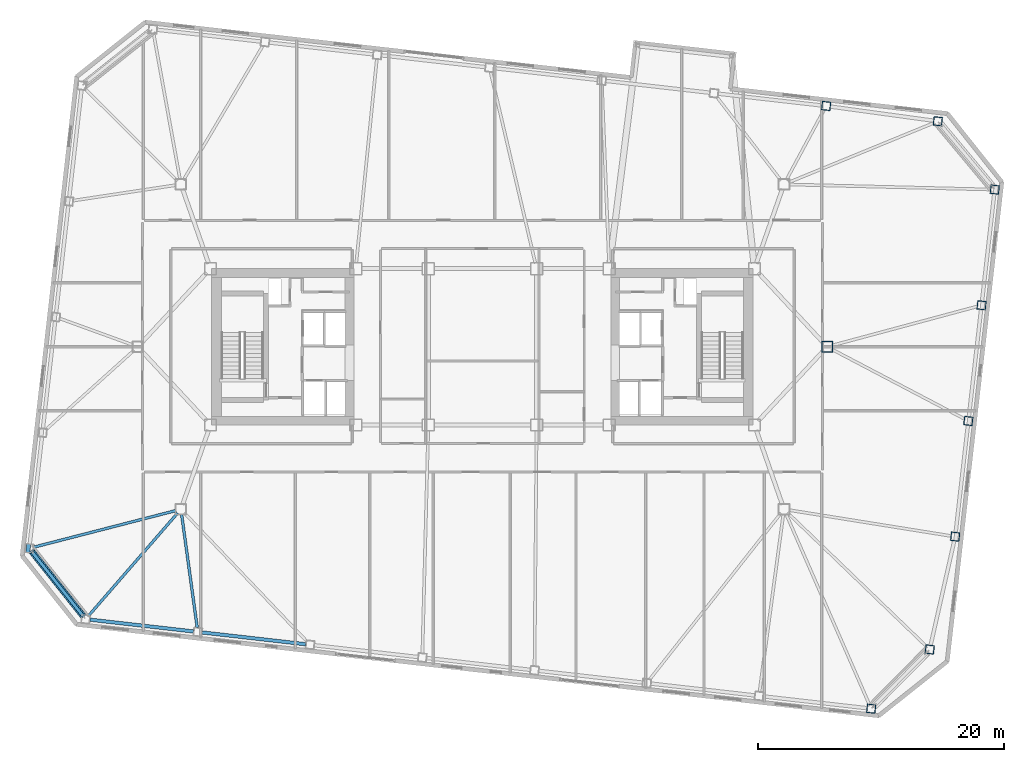
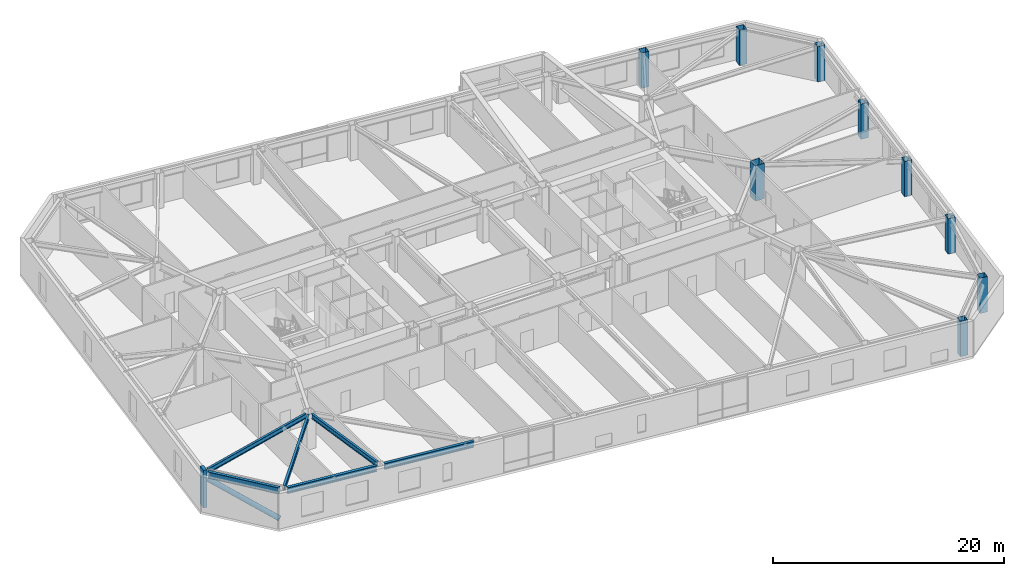
# One storey, part 3 of 22: 9 columns, 6 beams, 2 members.
"""IFC4 building model written with IfcOpenShell, lengths in metres."""

from ifc_helpers import new_model, si_unit, direction, frame, origin, origin_2d, place, context, subcontext, project, spatial, rectangle, hollow_rectangle, hollow_circle, i_section, extrude, material, material_profile, profile_set, type_object, element, save


model = new_model("IFC4")

# Units and contexts
model_context = context("Model", 3, precision=1e-05, world=origin(), true_north=direction((0.0, 1.0)))
body_context = subcontext(model_context, "Body", "Model", "MODEL_VIEW")
ifc_project = project(units=[si_unit("LENGTHUNIT", "METRE"), si_unit("AREAUNIT", "SQUARE_METRE"), si_unit("VOLUMEUNIT", "CUBIC_METRE"), si_unit("PLANEANGLEUNIT", "RADIAN"), si_unit("MASSUNIT", "GRAM", prefix="KILO")], contexts=[model_context])

# Site, building, storey
site_placement = place(None, origin())
site = spatial("IfcSite", under=ifc_project, at=site_placement, CompositionType="ELEMENT")
building_placement = place(site_placement, origin())
building = spatial("IfcBuilding", under=site, at=building_placement, Name="Tavrogorsk Clinical Tower", CompositionType="ELEMENT")
storey_placement = place(building_placement, frame((0.0, 0.0, 117.39990234375)))
storey = spatial("IfcBuildingStorey", under=building, at=storey_placement, Name="L26", CompositionType="ELEMENT", Elevation=117.39990234375)

# Columns
ifc_material_1 = material(Name="Structural steel S440", Category="steel")
ifc_material_profile_1 = material_profile(ifc_material_1, hollow_rectangle(XDim=0.89990234375, YDim=0.89990234375, WallThickness=0.0400390625, at=origin_2d()), Name="BOX-900x900x40")
ifc_profile_set_1 = profile_set([ifc_material_profile_1], Name="Structural steel S440")
column_type_1 = type_object("IfcColumnType", Name="MegaCol_BOX900", PredefinedType="COLUMN", material=ifc_profile_set_1)
column_placement = place(storey_placement, frame((28.0, 0.0, 0.0), z_axis=(0.0, 0.0, 1.0), x_axis=(1.0, 0.0, 0.0)))
element("IfcColumn", 1, at=column_placement, inside=storey, type_object=column_type_1, Name="L26 Spine Pilotis Column MC-P6", PredefinedType="COLUMN", context=body_context, shape_type="SweptSolid", body=[
    extrude(hollow_rectangle(XDim=0.89990234375, YDim=0.89990234375, WallThickness=0.0400390625, at=origin_2d()), origin(), (0.0, 0.0, 1.0), 3.739990234375),
])
ifc_material_2 = material(Name="Structural steel S440", Category="steel")
ifc_material_profile_2 = material_profile(ifc_material_2, hollow_rectangle(XDim=0.699951171875, YDim=0.699951171875, WallThickness=0.031982421875, at=origin_2d()), Name="BOX-700x700x32")
ifc_profile_set_2 = profile_set([ifc_material_profile_2], Name="Structural steel S440")
column_type_2 = type_object("IfcColumnType", Name="PerimCol_B2_BOX700", PredefinedType="COLUMN", material=ifc_profile_set_2)
for number, where, z_axis, x_axis, name in (
    (2, (31.5830078125, -29.40087890625, 0.0), (0.0, 0.0, 1.0), (0.993571855677, -0.113203213768, 0.0), "L26 Perimeter Column S8"),
    (3, (36.99658203125, 18.323486328125, 0.0), (0.0, 0.0, 1.0), (0.993571855677, -0.113203213768, 0.0), "L26 Perimeter Column N1"),
    (4, (27.92578125, 19.567626953125, 0.0), (0.0, 0.0, 1.0), (0.993571855677, -0.113203213768, 0.0), "L26 Perimeter Column N2"),
    (5, (36.335693359375, -24.591796875, 0.0), (0.0, 0.0, 1.0), (0.993571855677, -0.113203213768, 0.0), "L26 Perimeter Column E1"),
    (6, (38.4091796875, -15.423828125, 0.0), (0.0, 0.0, 1.0), (0.993571855677, -0.113203213768, 0.0), "L26 Perimeter Column E2"),
    (7, (39.47998046875, -6.024658203125, 0.0), (0.0, 0.0, 1.0), (0.993571855677, -0.113203213768, 0.0), "L26 Perimeter Column E3"),
    (8, (40.551025390625, 3.37451171875, 0.0), (0.0, 0.0, 1.0), (0.993571855677, -0.113203213768, 0.0), "L26 Perimeter Column E4"),
    (9, (41.621826171875, 12.773681640625, 0.0), (0.0, 0.0, 1.0), (0.993571855677, -0.113203213768, 0.0), "L26 Perimeter Column E5"),
):
    element("IfcColumn", number, at=place(storey_placement, frame(where, z_axis=z_axis, x_axis=x_axis)), inside=storey, type_object=column_type_2, Name=name, PredefinedType="COLUMN", context=body_context, shape_type="SweptSolid", body=[
        extrude(hollow_rectangle(XDim=0.699951171875, YDim=0.699951171875, WallThickness=0.031982421875, at=origin_2d()), origin(), (0.0, 0.0, 1.0), 3.739990234375),
    ])

# Member
ifc_material_3 = material(Name="Structural steel S440", Category="steel")
ifc_material_profile_3 = material_profile(ifc_material_3, hollow_circle(Radius=0.25390625, WallThickness=0.02001953125, at=origin_2d()), Name="CHS-508x20")
ifc_profile_set_3 = profile_set([ifc_material_profile_3], Name="Structural steel S440")
member_type_1 = type_object("IfcMemberType", Name="ExoBrace_CHS508", PredefinedType="BRACE", material=ifc_profile_set_3)
member_1_placement = place(storey_placement, frame((-32.452880859375, -21.866455078125, 0.425048828125), z_axis=(-0.583326985798, 0.73336936718, 0.349140371371), x_axis=(-0.782619256143, -0.622500682662, 0.0)))
element("IfcMember", 10, at=member_1_placement, inside=storey, type_object=member_type_1, Name="L26 Corner Exoskeleton Brace W5-S1", PredefinedType="BRACE", context=body_context, shape_type="SweptSolid", body=[
    extrude(hollow_circle(Radius=0.25390625, WallThickness=0.02001953125, at=origin_2d()), origin(), (0.0, 0.0, 1.0), 7.1318359375),
])

# Beams
ifc_material_4 = material(Name="Structural steel S355", Category="steel")
ifc_material_profile_4 = material_profile(ifc_material_4, i_section(OverallWidth=0.219970703125, OverallDepth=0.5, WebThickness=0.012939453125, FlangeThickness=0.02001953125, at=origin_2d()), Name="B-500x220x13x20")
ifc_profile_set_4 = profile_set([ifc_material_profile_4], Name="Structural steel S355")
beam_type_1 = type_object("IfcBeamType", Name="FloorBeam_B500", PredefinedType="BEAM", material=ifc_profile_set_4)
beam_1_placement = place(storey_placement, frame((-24.7685546875, -13.509765625, 3.489990234375), z_axis=(-0.655213926096, -0.755443387058, 0.0), x_axis=(0.755443387058, -0.655213926096, 0.0)))
element("IfcBeam", 11, at=beam_1_placement, inside=storey, type_object=beam_type_1, Name="L26 Radial Floor Beam S1", PredefinedType="BEAM", context=body_context, shape_type="SweptSolid", body=[
    extrude(i_section(OverallWidth=0.219970703125, OverallDepth=0.5, WebThickness=0.012939453125, FlangeThickness=0.02001953125, at=origin_2d()), origin(), (0.0, 0.0, 1.0), 11.05126953125),
])
beam_2_placement = place(storey_placement, frame((-24.444091796875, -13.606201171875, 3.489990234375), z_axis=(0.136572505989, -0.990630077581, 0.0), x_axis=(0.990630077581, 0.136572505989, 0.0)))
element("IfcBeam", 12, at=beam_2_placement, inside=storey, type_object=beam_type_1, Name="L26 Radial Floor Beam S2", PredefinedType="BEAM", context=body_context, shape_type="SweptSolid", body=[
    extrude(i_section(OverallWidth=0.219970703125, OverallDepth=0.5, WebThickness=0.012939453125, FlangeThickness=0.02001953125, at=origin_2d()), origin(), (0.0, 0.0, 1.0), 9.2939453125),
])
beam_3_placement = place(storey_placement, frame((-24.89697265625, -13.30224609375, 3.489990234375), z_axis=(-0.968393085087, -0.24942901346, 0.0), x_axis=(0.24942901346, -0.968393085087, 0.0)))
element("IfcBeam", 13, at=beam_3_placement, inside=storey, type_object=beam_type_1, Name="L26 Radial Floor Beam W5", PredefinedType="BEAM", context=body_context, shape_type="SweptSolid", body=[
    extrude(i_section(OverallWidth=0.219970703125, OverallDepth=0.5, WebThickness=0.012939453125, FlangeThickness=0.02001953125, at=origin_2d()), origin(), (0.0, 0.0, 1.0), 11.9560546875),
])

# Member
ifc_material_5 = material(Name="Precast concrete B45 with limestone cladding", Category="masonry")
ifc_material_profile_5 = material_profile(ifc_material_5, rectangle(XDim=0.320068359375, YDim=0.719970703125, at=origin_2d()), Name="LIMESTONE-FIN-320x720")
ifc_profile_set_5 = profile_set([ifc_material_profile_5], Name="Precast concrete B45 with limestone cladding")
member_type_2 = type_object("IfcMemberType", Name="LimestonePleatFin_320x720", PredefinedType="USERDEFINED", material=ifc_profile_set_5)
member_2_placement = place(storey_placement, frame((-36.9013671875, -16.364501953125, 0.0), z_axis=(0.0, 0.0, 1.0), x_axis=(0.993571855677, -0.113203213768, 0.0)))
element("IfcMember", 14, at=member_2_placement, inside=storey, type_object=member_type_2, Name="L26 W Pleated Stone Fin 4", ObjectType="FIN", PredefinedType="USERDEFINED", context=body_context, shape_type="SweptSolid", body=[
    extrude(rectangle(XDim=0.320068359375, YDim=0.719970703125, at=origin_2d()), origin(), (0.0, 0.0, 1.0), 4.0),
])

# Beams
ifc_material_6 = material(Name="Structural steel S390", Category="steel")
ifc_material_profile_6 = material_profile(ifc_material_6, i_section(OverallWidth=0.280029296875, OverallDepth=0.64990234375, WebThickness=0.01611328125, FlangeThickness=0.02490234375, at=origin_2d()), Name="B-650x280x16x25")
ifc_profile_set_6 = profile_set([ifc_material_profile_6], Name="Structural steel S390")
beam_type_2 = type_object("IfcBeamType", Name="SpandrelBeam_B650", PredefinedType="SPANDREL", material=ifc_profile_set_6)
beam_4_placement = place(storey_placement, frame((-31.88818359375, -22.16943359375, 3.4150390625), z_axis=(0.99357232562, -0.113199089054, 0.0), x_axis=(0.113199089054, 0.99357232562, 0.0)))
element("IfcBeam", 15, at=beam_4_placement, inside=storey, type_object=beam_type_2, Name="L26 Perimeter Spandrel S1-S2", PredefinedType="SPANDREL", context=body_context, shape_type="SweptSolid", body=[
    extrude(i_section(OverallWidth=0.280029296875, OverallDepth=0.64990234375, WebThickness=0.01611328125, FlangeThickness=0.02490234375, at=origin_2d()), origin(), (0.0, 0.0, 1.0), 8.4609375),
])
beam_5_placement = place(storey_placement, frame((-22.770263671875, -23.208251953125, 3.4150390625), z_axis=(0.99357306506, -0.113192598642, 0.0), x_axis=(0.113192598642, 0.99357306506, 0.0)))
element("IfcBeam", 16, at=beam_5_placement, inside=storey, type_object=beam_type_2, Name="L26 Perimeter Spandrel S2-S3", PredefinedType="SPANDREL", context=body_context, shape_type="SweptSolid", body=[
    extrude(i_section(OverallWidth=0.280029296875, OverallDepth=0.64990234375, WebThickness=0.01611328125, FlangeThickness=0.02490234375, at=origin_2d()), origin(), (0.0, 0.0, 1.0), 8.46142578125),
])
beam_6_placement = place(storey_placement, frame((-36.59912109375, -16.65380859375, 3.4150390625), z_axis=(0.622530733212, -0.782595352788, 0.0), x_axis=(0.782595352788, 0.622530733212, 0.0)))
element("IfcBeam", 17, at=beam_6_placement, inside=storey, type_object=beam_type_2, Name="L26 Perimeter Spandrel W5-S1", PredefinedType="SPANDREL", context=body_context, shape_type="SweptSolid", body=[
    extrude(i_section(OverallWidth=0.280029296875, OverallDepth=0.64990234375, WebThickness=0.01611328125, FlangeThickness=0.02490234375, at=origin_2d()), origin(), (0.0, 0.0, 1.0), 6.637939453125),
])

save(model, "model.ifc")
